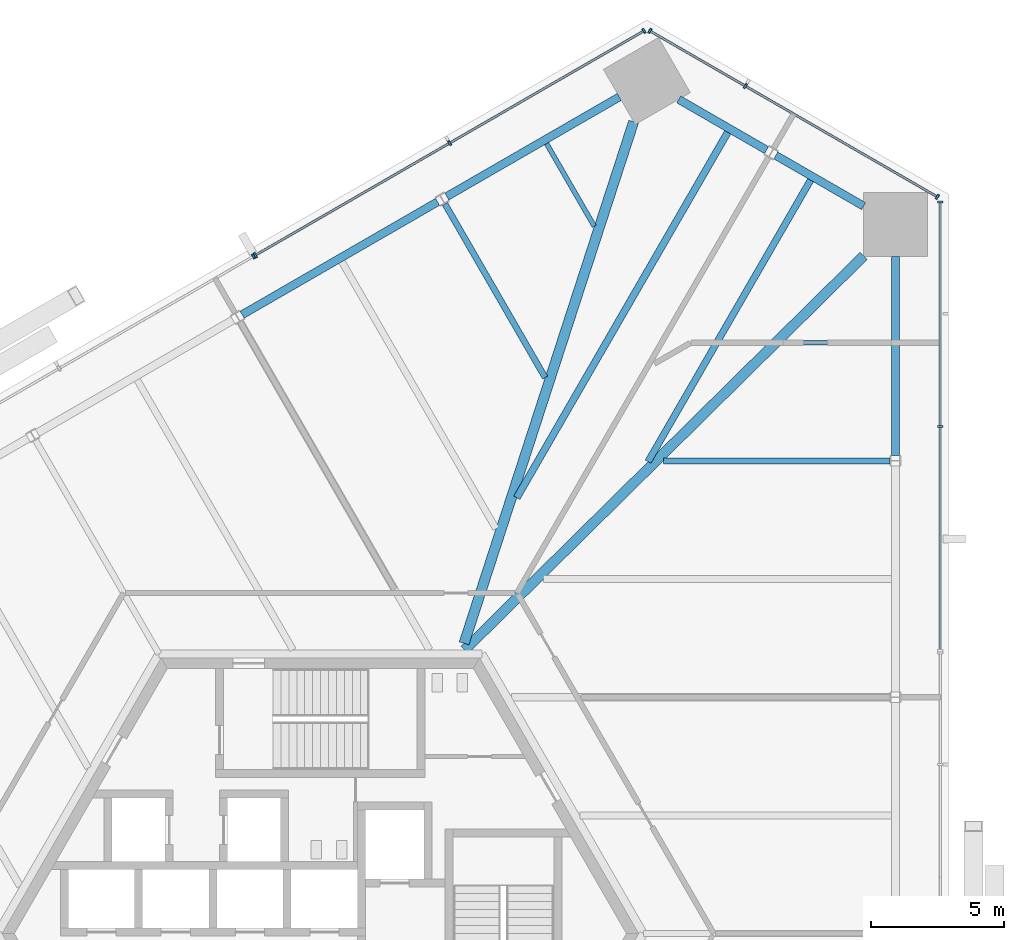
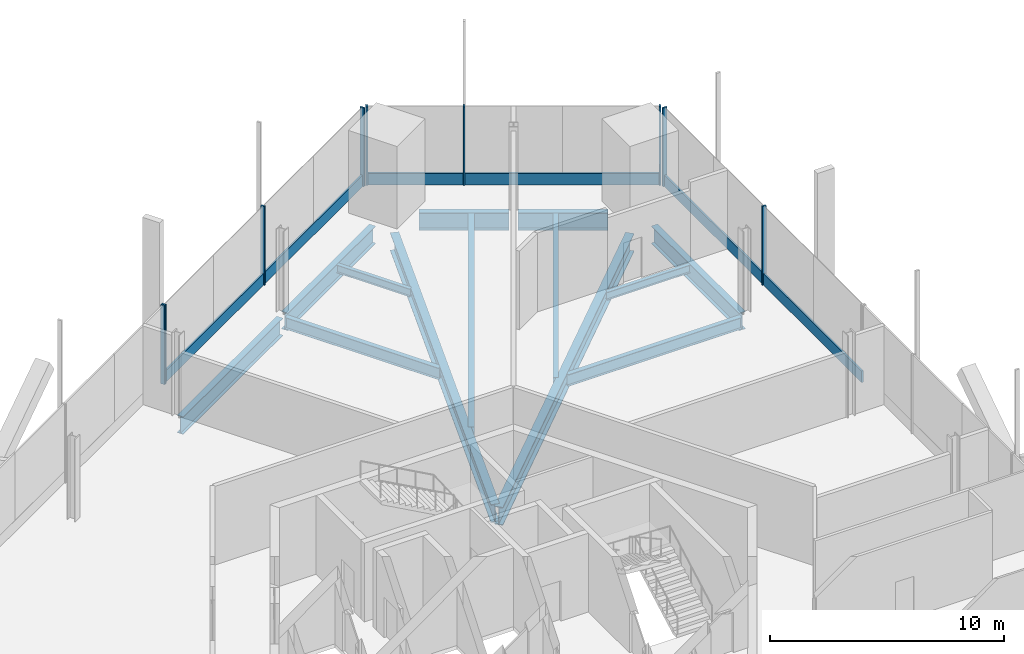
# One storey, part 7 of 18: 15 members, 13 beams, 4 elements without a shape of their own.
"""IFC4 building model written with IfcOpenShell, lengths in metres."""

from ifc_helpers import new_model, si_unit, direction, frame, origin, origin_2d, place, context, subcontext, project, spatial, rectangle, i_section, extrude, source, transform, mapped, material, material_profile, profile_set, type_object, element, aggregate, save


model = new_model("IFC4")

# Units and contexts
model_context = context("Model", 3, precision=1e-05, world=origin(), true_north=direction((0.0, 1.0)))
body_context = subcontext(model_context, "Body", "Model", "MODEL_VIEW")
ifc_project = project(units=[si_unit("LENGTHUNIT", "METRE"), si_unit("AREAUNIT", "SQUARE_METRE"), si_unit("VOLUMEUNIT", "CUBIC_METRE"), si_unit("PLANEANGLEUNIT", "RADIAN"), si_unit("MASSUNIT", "GRAM", prefix="KILO")], contexts=[model_context])

# Site, building, storey
site_placement = place(None, origin())
site = spatial("IfcSite", under=ifc_project, at=site_placement, CompositionType="ELEMENT")
building_placement = place(site_placement, origin())
building = spatial("IfcBuilding", under=site, at=building_placement, Name="Triune Harvest Tower", CompositionType="ELEMENT")
storey_placement = place(building_placement, frame((0.0, 0.0, 33.199951171875)))
storey = spatial("IfcBuildingStorey", under=building, at=storey_placement, Name="L07", CompositionType="ELEMENT", Elevation=33.199951171875)

# Beams
ifc_material_1 = material(Name="Steel ASTM A992 Gr 50", Category="steel")
ifc_material_profile_1 = material_profile(ifc_material_1, i_section(OverallWidth=0.383544921875, OverallDepth=0.9423828125, WebThickness=0.022216796875, FlangeThickness=0.039794921875, at=origin_2d()), Name="W36x232")
ifc_profile_set_1 = profile_set([ifc_material_profile_1], Name="Steel ASTM A992 Gr 50")
beam_type_1 = type_object("IfcBeamType", Name="HG-1 Hip girder W36x232", PredefinedType="BEAM", material=ifc_profile_set_1)
shared_shape_1 = source(origin(), body_context, "Body", "SweptSolid", [
    extrude(i_section(OverallWidth=0.383544921875, OverallDepth=0.9423828125, WebThickness=0.022216796875, FlangeThickness=0.039794921875, at=origin_2d()), origin(), (0.0, 0.0, 1.0), 21.132568359375),
])
beam_1_placement = place(storey_placement, frame((20.4794921875, 25.545166015625, -0.671142578125), z_axis=(-0.711563602244, -0.7026216905, 0.0), x_axis=(0.7026216905, -0.711563602244, 0.0)))
element("IfcBeam", 1, at=beam_1_placement, inside=storey, type_object=beam_type_1, Name="beam/L07/HG2", PredefinedType="BEAM", context=body_context, shape_type="MappedRepresentation", body=[
    mapped(shared_shape_1, transform((0.0, 0.0, 0.0), scale=1.0)),
])
shared_shape_2 = source(origin(), body_context, "Body", "SweptSolid", [
    extrude(i_section(OverallWidth=0.383544921875, OverallDepth=0.9423828125, WebThickness=0.022216796875, FlangeThickness=0.039794921875, at=origin_2d()), origin(), (0.0, 0.0, 1.0), 20.676025390625),
])
beam_2_placement = place(storey_placement, frame((11.809814453125, 30.6044921875, -0.671142578125), z_axis=(-0.309191000288, -0.950999960747, 0.0), x_axis=(0.950999960747, -0.309191000288, 0.0)))
element("IfcBeam", 2, at=beam_2_placement, inside=storey, type_object=beam_type_1, Name="beam/L07/HG3", PredefinedType="BEAM", context=body_context, shape_type="MappedRepresentation", body=[
    mapped(shared_shape_2, transform((0.0, 0.0, 0.0), scale=1.0)),
])
ifc_material_2 = material(Name="Steel ASTM A992 Gr 50", Category="steel")
ifc_material_profile_2 = material_profile(ifc_material_2, i_section(OverallWidth=0.22900390625, OverallDepth=0.612060546875, WebThickness=0.011962890625, FlangeThickness=0.01953125, at=origin_2d()), Name="W24x84")
ifc_profile_set_2 = profile_set([ifc_material_profile_2], Name="Steel ASTM A992 Gr 50")
beam_type_2 = type_object("IfcBeamType", Name="JT-3 Floor joist W24x84", PredefinedType="JOIST", material=ifc_profile_set_2)
shared_shape_3 = source(origin(), body_context, "Body", "SweptSolid", [
    extrude(i_section(OverallWidth=0.22900390625, OverallDepth=0.612060546875, WebThickness=0.011962890625, FlangeThickness=0.01953125, at=origin_2d()), origin(), (0.0, 0.0, 1.0), 8.54736328125),
])
beam_3_placement = place(storey_placement, frame((21.476318359375, 17.820068359375, -0.506103515625), z_axis=(-1.0, 0.0, 0.0), x_axis=(0.0, -1.0, 0.0)))
element("IfcBeam", 3, at=beam_3_placement, inside=storey, type_object=beam_type_2, Name="beam/L07/JT10", PredefinedType="JOIST", context=body_context, shape_type="MappedRepresentation", body=[
    mapped(shared_shape_3, transform((0.0, 0.0, 0.0), scale=1.0)),
])
shared_shape_4 = source(origin(), body_context, "Body", "SweptSolid", [
    extrude(i_section(OverallWidth=0.22900390625, OverallDepth=0.612060546875, WebThickness=0.011962890625, FlangeThickness=0.01953125, at=origin_2d()), origin(), (0.0, 0.0, 1.0), 7.55859375),
])
beam_4_placement = place(storey_placement, frame((4.6943359375, 27.509033203125, -0.506103515625), z_axis=(0.500002049001, -0.86602422079, 0.0), x_axis=(0.86602422079, 0.500002049001, 0.0)))
element("IfcBeam", 4, at=beam_4_placement, inside=storey, type_object=beam_type_2, Name="beam/L07/JT15", PredefinedType="JOIST", context=body_context, shape_type="MappedRepresentation", body=[
    mapped(shared_shape_4, transform((0.0, 0.0, 0.0), scale=1.0)),
])
ifc_material_3 = material(Name="Steel ASTM A992 Gr 50", Category="steel")
ifc_material_profile_3 = material_profile(ifc_material_3, i_section(OverallWidth=0.3046875, OverallDepth=0.914306640625, WebThickness=0.0166015625, FlangeThickness=0.02587890625, at=origin_2d()), Name="W36x160")
ifc_profile_set_3 = profile_set([ifc_material_profile_3], Name="Steel ASTM A992 Gr 50")
beam_type_3 = type_object("IfcBeamType", Name="SB-1 Spandrel beam W36x160", PredefinedType="SPANDREL", material=ifc_profile_set_3)
shared_shape_5 = source(origin(), body_context, "Body", "SweptSolid", [
    extrude(i_section(OverallWidth=0.3046875, OverallDepth=0.914306640625, WebThickness=0.0166015625, FlangeThickness=0.02587890625, at=origin_2d()), origin(), (0.0, 0.0, 1.0), 7.508056640625),
])
beam_5_placement = place(storey_placement, frame((21.679443359375, 18.02197265625, -0.6572265625), z_axis=(0.0, 1.0, 0.0), x_axis=(-1.0, 0.0, 0.0)))
element("IfcBeam", 5, at=beam_5_placement, inside=storey, type_object=beam_type_3, Name="beam/L07/SB6", PredefinedType="SPANDREL", context=body_context, shape_type="MappedRepresentation", body=[
    mapped(shared_shape_5, transform((0.0, 0.0, 0.0), scale=1.0)),
])
shared_shape_6 = source(origin(), body_context, "Body", "SweptSolid", [
    extrude(i_section(OverallWidth=0.3046875, OverallDepth=0.914306640625, WebThickness=0.0166015625, FlangeThickness=0.02587890625, at=origin_2d()), origin(), (0.0, 0.0, 1.0), 8.506103515625),
])
beam_6_placement = place(storey_placement, frame((4.41796875, 27.583984375, -0.6572265625), z_axis=(-0.866030246746, -0.49999161165, 0.0), x_axis=(0.49999161165, -0.866030246746, 0.0)))
element("IfcBeam", 6, at=beam_6_placement, inside=storey, type_object=beam_type_3, Name="beam/L07/SB10", PredefinedType="SPANDREL", context=body_context, shape_type="MappedRepresentation", body=[
    mapped(shared_shape_6, transform((0.0, 0.0, 0.0), scale=1.0)),
])
shared_shape_7 = source(origin(), body_context, "Body", "SweptSolid", [
    extrude(i_section(OverallWidth=0.3046875, OverallDepth=0.914306640625, WebThickness=0.0166015625, FlangeThickness=0.02587890625, at=origin_2d()), origin(), (0.0, 0.0, 1.0), 3.822265625),
])
beam_7_placement = place(storey_placement, frame((20.4794921875, 27.4228515625, -0.6572265625), z_axis=(-0.866033487859, 0.499985997711, 0.0), x_axis=(-0.499985997711, -0.866033487859, 0.0)))
element("IfcBeam", 7, at=beam_7_placement, inside=storey, type_object=beam_type_3, Name="beam/L07/SB7", PredefinedType="SPANDREL", context=body_context, shape_type="MappedRepresentation", body=[
    mapped(shared_shape_7, transform((0.0, 0.0, 0.0), scale=1.0)),
])
shared_shape_8 = source(origin(), body_context, "Body", "SweptSolid", [
    extrude(i_section(OverallWidth=0.3046875, OverallDepth=0.914306640625, WebThickness=0.0166015625, FlangeThickness=0.02587890625, at=origin_2d()), origin(), (0.0, 0.0, 1.0), 3.822509765625),
])
beam_8_placement = place(storey_placement, frame((16.8193359375, 29.535888671875, -0.6572265625), z_axis=(-0.866005830769, 0.500033899925, 0.0), x_axis=(-0.500033899925, -0.866005830769, 0.0)))
element("IfcBeam", 8, at=beam_8_placement, inside=storey, type_object=beam_type_3, Name="beam/L07/SB8", PredefinedType="SPANDREL", context=body_context, shape_type="MappedRepresentation", body=[
    mapped(shared_shape_8, transform((0.0, 0.0, 0.0), scale=1.0)),
])
shared_shape_9 = source(origin(), body_context, "Body", "SweptSolid", [
    extrude(i_section(OverallWidth=0.3046875, OverallDepth=0.914306640625, WebThickness=0.0166015625, FlangeThickness=0.02587890625, at=origin_2d()), origin(), (0.0, 0.0, 1.0), 7.50830078125),
])
beam_9_placement = place(storey_placement, frame((11.27001953125, 31.5400390625, -0.6572265625), z_axis=(-0.866027474485, -0.499996413425, 0.0), x_axis=(0.499996413425, -0.866027474485, 0.0)))
element("IfcBeam", 9, at=beam_9_placement, inside=storey, type_object=beam_type_3, Name="beam/L07/SB9", PredefinedType="SPANDREL", context=body_context, shape_type="MappedRepresentation", body=[
    mapped(shared_shape_9, transform((0.0, 0.0, 0.0), scale=1.0)),
])
ifc_material_4 = material(Name="Steel ASTM A992 Gr 50", Category="steel")
ifc_material_profile_4 = material_profile(ifc_material_4, i_section(OverallWidth=0.180908203125, OverallDepth=0.41650390625, WebThickness=0.010986328125, FlangeThickness=0.01806640625, at=origin_2d()), Name="W16x57")
ifc_profile_set_4 = profile_set([ifc_material_profile_4], Name="Steel ASTM A992 Gr 50")
beam_type_4 = type_object("IfcBeamType", Name="JT-1 Floor joist W16x57", PredefinedType="JOIST", material=ifc_profile_set_4)
shared_shape_10 = source(origin(), body_context, "Body", "SweptSolid", [
    extrude(i_section(OverallWidth=0.180908203125, OverallDepth=0.41650390625, WebThickness=0.010986328125, FlangeThickness=0.01806640625, at=origin_2d()), origin(), (0.0, 0.0, 1.0), 3.599365234375),
])
beam_10_placement = place(storey_placement, frame((8.527099609375, 29.780517578125, -0.408203125), z_axis=(0.50001992892, -0.866013897511, 0.0), x_axis=(0.866013897511, 0.50001992892, 0.0)))
element("IfcBeam", 10, at=beam_10_placement, inside=storey, type_object=beam_type_4, Name="beam/L07/JT14", PredefinedType="JOIST", context=body_context, shape_type="MappedRepresentation", body=[
    mapped(shared_shape_10, transform((0.0, 0.0, 0.0), scale=1.0)),
])
shared_shape_11 = source(origin(), body_context, "Body", "SweptSolid", [
    extrude(i_section(OverallWidth=0.180908203125, OverallDepth=0.41650390625, WebThickness=0.010986328125, FlangeThickness=0.01806640625, at=origin_2d()), origin(), (0.0, 0.0, 1.0), 4.08642578125),
])
beam_11_placement = place(storey_placement, frame((21.527099609375, 22.27490234375, -0.408203125), z_axis=(-1.0, 0.0, 0.0), x_axis=(0.0, -1.0, 0.0)))
element("IfcBeam", 11, at=beam_11_placement, inside=storey, type_object=beam_type_4, Name="beam/L07/JT11", PredefinedType="JOIST", context=body_context, shape_type="MappedRepresentation", body=[
    mapped(shared_shape_11, transform((0.0, 0.0, 0.0), scale=1.0)),
])
ifc_material_5 = material(Name="Steel ASTM A992 Gr 50", Category="steel")
ifc_material_profile_5 = material_profile(ifc_material_5, i_section(OverallWidth=0.253662109375, OverallDepth=0.683349609375, WebThickness=0.012451171875, FlangeThickness=0.01904296875, at=origin_2d()), Name="W27x94")
ifc_profile_set_5 = profile_set([ifc_material_profile_5], Name="Steel ASTM A992 Gr 50")
beam_type_5 = type_object("IfcBeamType", Name="JT-4 Floor joist W27x94", PredefinedType="JOIST", material=ifc_profile_set_5)
shared_shape_12 = source(origin(), body_context, "Body", "SweptSolid", [
    extrude(i_section(OverallWidth=0.253662109375, OverallDepth=0.683349609375, WebThickness=0.012451171875, FlangeThickness=0.01904296875, at=origin_2d()), origin(), (0.0, 0.0, 1.0), 12.2509765625),
])
beam_12_placement = place(storey_placement, frame((18.479736328125, 28.4013671875, -0.54150390625), z_axis=(-0.500001335473, -0.866024632748, 0.0), x_axis=(0.866024632748, -0.500001335473, 0.0)))
element("IfcBeam", 12, at=beam_12_placement, inside=storey, type_object=beam_type_5, Name="beam/L07/JT12", PredefinedType="JOIST", context=body_context, shape_type="MappedRepresentation", body=[
    mapped(shared_shape_12, transform((0.0, 0.0, 0.0), scale=1.0)),
])
ifc_material_6 = material(Name="Steel ASTM A992 Gr 50", Category="steel")
ifc_material_profile_6 = material_profile(ifc_material_6, i_section(OverallWidth=0.2666015625, OverallDepth=0.7568359375, WebThickness=0.013916015625, FlangeThickness=0.019287109375, at=origin_2d()), Name="W30x108")
ifc_profile_set_6 = profile_set([ifc_material_profile_6], Name="Steel ASTM A992 Gr 50")
beam_type_6 = type_object("IfcBeamType", Name="JT-5 Floor joist W30x108", PredefinedType="JOIST", material=ifc_profile_set_6)
shared_shape_13 = source(origin(), body_context, "Body", "SweptSolid", [
    extrude(i_section(OverallWidth=0.2666015625, OverallDepth=0.7568359375, WebThickness=0.013916015625, FlangeThickness=0.019287109375, at=origin_2d()), origin(), (0.0, 0.0, 1.0), 15.90771484375),
])
beam_13_placement = place(storey_placement, frame((15.3564453125, 30.20458984375, -0.578369140625), z_axis=(-0.500003211559, -0.866023549582, 0.0), x_axis=(0.866023549582, -0.500003211559, 0.0)))
element("IfcBeam", 13, at=beam_13_placement, inside=storey, type_object=beam_type_6, Name="beam/L07/JT13", PredefinedType="JOIST", context=body_context, shape_type="MappedRepresentation", body=[
    mapped(shared_shape_13, transform((0.0, 0.0, 0.0), scale=1.0)),
])

# Curtain wall, members
ifc_material_7 = material(Name="Aluminium bronze anodised", Category="aluminium")
curtain_wall_type_1 = type_object("IfcCurtainWallType", Name="CW-3 Farm floor curtain wall", PredefinedType="NOTDEFINED", material=ifc_material_7)
curtain_wall_1_placement = place(storey_placement, origin())
curtain_wall_1 = element("IfcCurtainWall", 14, at=curtain_wall_1_placement, inside=storey, type_object=curtain_wall_type_1, Name="CW-3 B1-F1 L07 run 2001")
ifc_material_8 = material(Name="Aluminium bronze anodised", Category="aluminium")
ifc_material_profile_7 = material_profile(ifc_material_8, rectangle(XDim=0.199951171875, YDim=0.080078125, at=origin_2d()), Name="MU-3 mullion 80 x 200")
ifc_profile_set_7 = profile_set([ifc_material_profile_7], Name="Aluminium bronze anodised")
member_type_1 = type_object("IfcMemberType", Name="MU-3 mullion 80 x 200", PredefinedType="MULLION", material=ifc_profile_set_7)
shared_shape_14 = source(origin(), body_context, "Body", "SweptSolid", [
    extrude(rectangle(XDim=0.199951171875, YDim=0.080078125, at=origin_2d()), origin(), (0.0, 0.0, 1.0), 4.10009765625),
])
member_1_placement = place(storey_placement, frame((23.371337890625, 19.119384765625, 0.0), z_axis=(0.0, 0.0, 1.0), x_axis=(-1.0, 0.0, 0.0)))
member_1 = element("IfcMember", 15, at=member_1_placement, type_object=member_type_1, Name="CW-3 mullion B1-F1 2001.3", PredefinedType="MULLION", context=body_context, shape_type="MappedRepresentation", body=[
    mapped(shared_shape_14, transform((0.0, 0.0, 0.0), scale=1.0)),
])
member_2_placement = place(storey_placement, frame((23.371337890625, 27.576904296875, 0.0), z_axis=(0.0, 0.0, 1.0), x_axis=(-1.0, 0.0, 0.0)))
member_2 = element("IfcMember", 16, at=member_2_placement, type_object=member_type_1, Name="CW-3 mullion B1-F1 2001.5", PredefinedType="MULLION", context=body_context, shape_type="MappedRepresentation", body=[
    mapped(shared_shape_14, transform((0.0, 0.0, 0.0), scale=1.0)),
])

curtain_wall_2_placement = place(storey_placement, origin())
curtain_wall_2 = element("IfcCurtainWall", 17, at=curtain_wall_2_placement, inside=storey, type_object=curtain_wall_type_1, Name="CW-3 B1-F2 L07 run 1")
member_3_placement = place(storey_placement, frame((23.2587890625, 27.771728515625, 0.0), z_axis=(0.0, 0.0, 1.0), x_axis=(-0.499998715149, -0.866026145592, 0.0)))
member_3 = element("IfcMember", 18, at=member_3_placement, type_object=member_type_1, Name="CW-3 mullion B1-F2 1.1", PredefinedType="MULLION", context=body_context, shape_type="MappedRepresentation", body=[
    mapped(shared_shape_14, transform((0.0, 0.0, 0.0), scale=1.0)),
])
member_4_placement = place(storey_placement, frame((16.0224609375, 31.94970703125, 0.0), z_axis=(0.0, 0.0, 1.0), x_axis=(-0.499998715149, -0.866026145592, 0.0)))
member_4 = element("IfcMember", 19, at=member_4_placement, type_object=member_type_1, Name="CW-3 mullion B1-F2 1.3", PredefinedType="MULLION", context=body_context, shape_type="MappedRepresentation", body=[
    mapped(shared_shape_14, transform((0.0, 0.0, 0.0), scale=1.0)),
])
member_5_placement = place(storey_placement, frame((12.421630859375, 34.028564453125, 0.0), z_axis=(0.0, 0.0, 1.0), x_axis=(-0.499998715149, -0.866026145592, 0.0)))
member_5 = element("IfcMember", 20, at=member_5_placement, type_object=member_type_1, Name="CW-3 mullion B1-F2 1.4", PredefinedType="MULLION", context=body_context, shape_type="MappedRepresentation", body=[
    mapped(shared_shape_14, transform((0.0, 0.0, 0.0), scale=1.0)),
])

curtain_wall_3_placement = place(storey_placement, origin())
curtain_wall_3 = element("IfcCurtainWall", 21, at=curtain_wall_3_placement, inside=storey, type_object=curtain_wall_type_1, Name="CW-3 B1-F3 L07 run 1")
member_6_placement = place(storey_placement, frame((12.196533203125, 34.028564453125, 0.0), z_axis=(0.0, 0.0, 1.0), x_axis=(0.500001122288, -0.86602475583, 0.0)))
member_6 = element("IfcMember", 22, at=member_6_placement, type_object=member_type_1, Name="CW-3 mullion B1-F3 1.1", PredefinedType="MULLION", context=body_context, shape_type="MappedRepresentation", body=[
    mapped(shared_shape_14, transform((0.0, 0.0, 0.0), scale=1.0)),
])
member_7_placement = place(storey_placement, frame((4.8720703125, 29.7998046875, 0.0), z_axis=(0.0, 0.0, 1.0), x_axis=(0.500001122288, -0.86602475583, 0.0)))
member_7 = element("IfcMember", 23, at=member_7_placement, type_object=member_type_1, Name="CW-3 mullion B1-F3 1.3", PredefinedType="MULLION", context=body_context, shape_type="MappedRepresentation", body=[
    mapped(shared_shape_14, transform((0.0, 0.0, 0.0), scale=1.0)),
])
member_8_placement = place(storey_placement, frame((-2.4521484375, 25.571044921875, 0.0), z_axis=(0.0, 0.0, 1.0), x_axis=(0.500001122288, -0.86602475583, 0.0)))
member_8 = element("IfcMember", 24, at=member_8_placement, type_object=member_type_1, Name="CW-3 mullion B1-F3 1.5", PredefinedType="MULLION", context=body_context, shape_type="MappedRepresentation", body=[
    mapped(shared_shape_14, transform((0.0, 0.0, 0.0), scale=1.0)),
])

# Curtain wall, member
ifc_material_9 = material(Name="Aluminium bronze anodised", Category="aluminium")
curtain_wall_type_2 = type_object("IfcCurtainWallType", Name="CW-8 Farm floor curtain wall with insulated spandrel infill", PredefinedType="NOTDEFINED", material=ifc_material_9)
curtain_wall_4_placement = place(storey_placement, origin())
curtain_wall_4 = element("IfcCurtainWall", 25, at=curtain_wall_4_placement, inside=storey, type_object=curtain_wall_type_2, Name="CW-8 B1-F3 L07 run 1001")
member_9_placement = place(storey_placement, frame((-2.521484375, 25.531005859375, 0.0), z_axis=(0.0, 0.0, 1.0), x_axis=(0.500000044272, -0.866025378224, 0.0)))
member_9 = element("IfcMember", 26, at=member_9_placement, type_object=member_type_1, Name="CW-8 mullion B1-F3 1001.1", PredefinedType="MULLION", context=body_context, shape_type="MappedRepresentation", body=[
    mapped(shared_shape_14, transform((0.0, 0.0, 0.0), scale=1.0)),
])
aggregate(curtain_wall_4, [member_9])

# Member
ifc_material_10 = material(Name="Aluminium bronze anodised", Category="aluminium")
ifc_material_profile_8 = material_profile(ifc_material_10, rectangle(XDim=0.090087890625, YDim=0.60009765625, at=origin_2d()), Name="TR-3 transom 90 x 600")
ifc_profile_set_8 = profile_set([ifc_material_profile_8], Name="Aluminium bronze anodised")
member_type_2 = type_object("IfcMemberType", Name="TR-3 transom 90 x 600", PredefinedType="USERDEFINED", material=ifc_profile_set_8)
shared_shape_15 = source(origin(), body_context, "Body", "SweptSolid", [
    extrude(rectangle(XDim=0.090087890625, YDim=0.60009765625, at=origin_2d()), origin(), (0.0, 0.0, 1.0), 8.27587890625),
])
member_10_placement = place(storey_placement, frame((23.22412109375, 27.791748046875, 0.300048828125), z_axis=(-0.866021501281, 0.500006759273, 0.0), x_axis=(-0.500006759273, -0.866021501281, 0.0)))
member_10 = element("IfcMember", 27, at=member_10_placement, type_object=member_type_2, Name="CW-3 transom B1-F2 1.1", ObjectType="TRANSOM", PredefinedType="USERDEFINED", context=body_context, shape_type="MappedRepresentation", body=[
    mapped(shared_shape_15, transform((0.0, 0.0, 0.0), scale=1.0)),
])

shared_shape_16 = source(origin(), body_context, "Body", "SweptSolid", [
    extrude(rectangle(XDim=0.090087890625, YDim=0.60009765625, at=origin_2d()), origin(), (0.0, 0.0, 1.0), 4.077880859375),
])
member_11_placement = place(storey_placement, frame((15.98779296875, 31.9697265625, 0.300048828125), z_axis=(-0.866035038465, 0.499983311872, 0.0), x_axis=(-0.499983311872, -0.866035038465, 0.0)))
member_11 = element("IfcMember", 28, at=member_11_placement, type_object=member_type_2, Name="CW-3 transom B1-F2 1.2", ObjectType="TRANSOM", PredefinedType="USERDEFINED", context=body_context, shape_type="MappedRepresentation", body=[
    mapped(shared_shape_16, transform((0.0, 0.0, 0.0), scale=1.0)),
])

aggregate(curtain_wall_2, [member_3, member_4, member_5, member_10, member_11])

shared_shape_17 = source(origin(), body_context, "Body", "SweptSolid", [
    extrude(rectangle(XDim=0.090087890625, YDim=0.60009765625, at=origin_2d()), origin(), (0.0, 0.0, 1.0), 8.37744140625),
])
member_12_placement = place(storey_placement, frame((23.371337890625, 10.701904296875, 0.300048828125), z_axis=(0.0, 1.0, 0.0), x_axis=(-1.0, 0.0, 0.0)))
member_12 = element("IfcMember", 29, at=member_12_placement, type_object=member_type_2, Name="CW-3 transom B1-F1 2001.1", ObjectType="TRANSOM", PredefinedType="USERDEFINED", context=body_context, shape_type="MappedRepresentation", body=[
    mapped(shared_shape_17, transform((0.0, 0.0, 0.0), scale=1.0)),
])

member_13_placement = place(storey_placement, frame((12.161865234375, 34.008544921875, 0.300048828125), z_axis=(-0.866026892193, -0.499997421992, 0.0), x_axis=(0.499997421992, -0.866026892193, 0.0)))
member_13 = element("IfcMember", 30, at=member_13_placement, type_object=member_type_2, Name="CW-3 transom B1-F3 1.1", ObjectType="TRANSOM", PredefinedType="USERDEFINED", context=body_context, shape_type="MappedRepresentation", body=[
    mapped(shared_shape_17, transform((0.0, 0.0, 0.0), scale=1.0)),
])

member_14_placement = place(storey_placement, frame((4.83740234375, 29.77978515625, 0.300048828125), z_axis=(-0.866026892193, -0.499997421992, 0.0), x_axis=(0.499997421992, -0.866026892193, 0.0)))
member_14 = element("IfcMember", 31, at=member_14_placement, type_object=member_type_2, Name="CW-3 transom B1-F3 1.2", ObjectType="TRANSOM", PredefinedType="USERDEFINED", context=body_context, shape_type="MappedRepresentation", body=[
    mapped(shared_shape_17, transform((0.0, 0.0, 0.0), scale=1.0)),
])

aggregate(curtain_wall_3, [member_6, member_7, member_8, member_13, member_14])

shared_shape_18 = source(origin(), body_context, "Body", "SweptSolid", [
    extrude(rectangle(XDim=0.090087890625, YDim=0.60009765625, at=origin_2d()), origin(), (0.0, 0.0, 1.0), 8.377685546875),
])
member_15_placement = place(storey_placement, frame((23.371337890625, 19.1591796875, 0.300048828125), z_axis=(0.0, 1.0, 0.0), x_axis=(-1.0, 0.0, 0.0)))
member_15 = element("IfcMember", 32, at=member_15_placement, type_object=member_type_2, Name="CW-3 transom B1-F1 2001.2", ObjectType="TRANSOM", PredefinedType="USERDEFINED", context=body_context, shape_type="MappedRepresentation", body=[
    mapped(shared_shape_18, transform((0.0, 0.0, 0.0), scale=1.0)),
])

aggregate(curtain_wall_1, [member_1, member_2, member_12, member_15])

save(model, "model.ifc")
